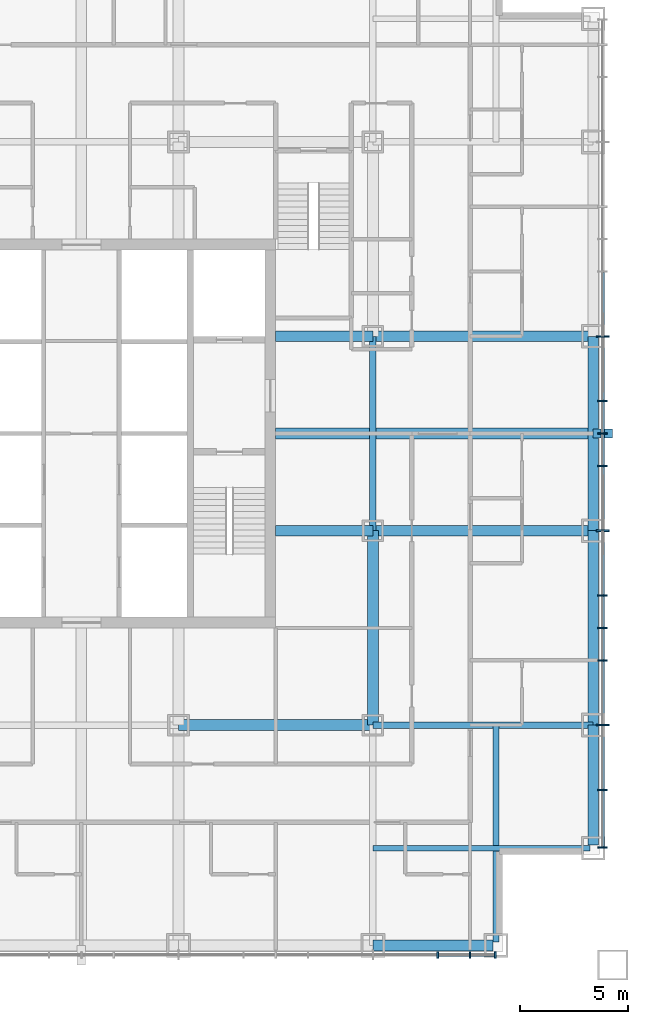
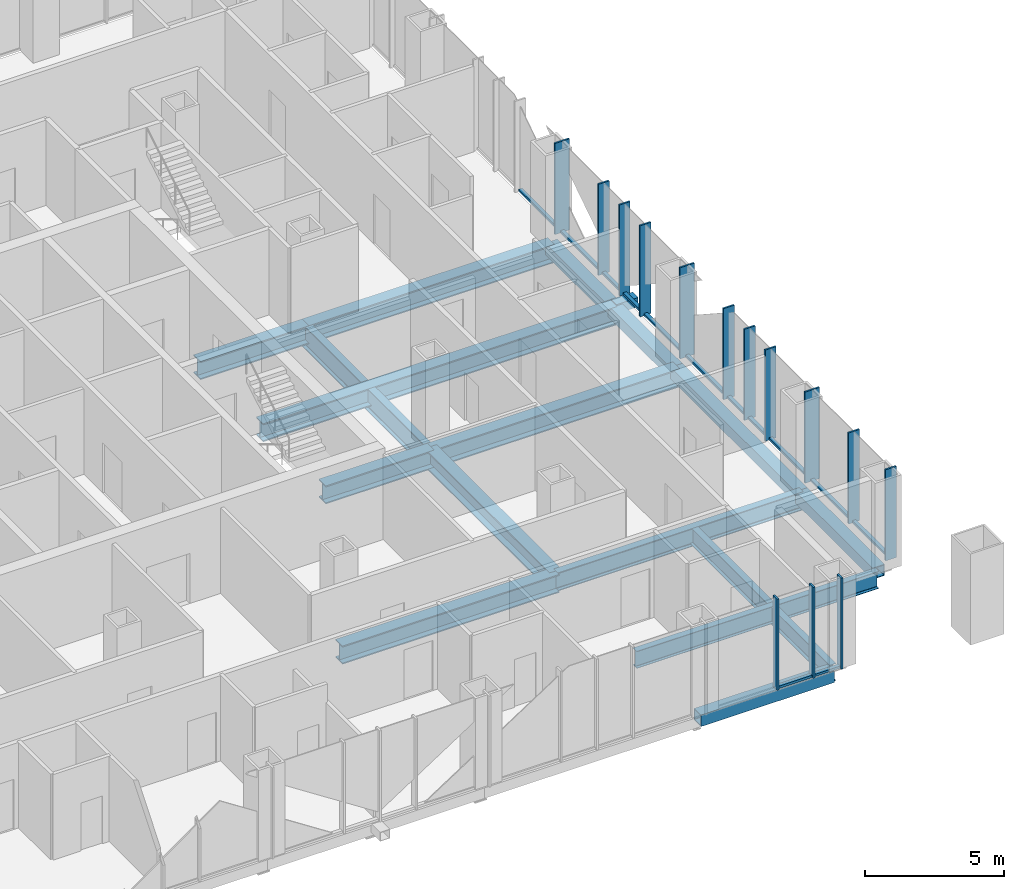
# One storey, part 4 of 13: 28 members, 15 beams, 2 elements without a shape of their own.
"""IFC4 building model written with IfcOpenShell, lengths in metres."""

from ifc_helpers import new_model, si_unit, direction, frame, origin, origin_2d, place, context, subcontext, project, spatial, rectangle, hollow_rectangle, i_section, extrude, material, layer, layer_set, material_profile, profile_set, type_object, element, aggregate, save


model = new_model("IFC4")

# Units and contexts
model_context = context("Model", 3, precision=1e-05, world=origin(), true_north=direction((0.0, 1.0)))
body_context = subcontext(model_context, "Body", "Model", "MODEL_VIEW")
ifc_project = project(units=[si_unit("LENGTHUNIT", "METRE"), si_unit("AREAUNIT", "SQUARE_METRE"), si_unit("VOLUMEUNIT", "CUBIC_METRE"), si_unit("PLANEANGLEUNIT", "RADIAN"), si_unit("MASSUNIT", "GRAM", prefix="KILO")], contexts=[model_context])

# Site, building, storey
site_placement = place(None, origin())
site = spatial("IfcSite", under=ifc_project, at=site_placement, CompositionType="ELEMENT")
building_placement = place(site_placement, origin())
building = spatial("IfcBuilding", under=site, at=building_placement, Name="Malebo Sky Hospital", CompositionType="ELEMENT")
storey_placement = place(building_placement, frame((0.0, 0.0, 156.0)))
storey = spatial("IfcBuildingStorey", under=building, at=storey_placement, Name="L37", CompositionType="ELEMENT", Elevation=156.0)

# Curtain wall, members
ifc_material_1 = material(Name="Anodised aluminium, natural silver", Category="aluminium")
ifc_layer_1 = layer(ifc_material_1, 0.25)
ifc_layer_set_1 = layer_set([ifc_layer_1], Name="WARD CURTAIN WALL NORTH AND SOUTH")
curtain_wall_type_1 = type_object("IfcCurtainWallType", Name="WARD CURTAIN WALL NORTH AND SOUTH", PredefinedType="NOTDEFINED", material=ifc_layer_set_1)
curtain_wall_1_placement = place(storey_placement, origin())
curtain_wall_1 = element("IfcCurtainWall", 1, at=curtain_wall_1_placement, inside=storey, type_object=curtain_wall_type_1, Name="NS curtain wall S", PredefinedType="NOTDEFINED")
ifc_material_profile_1 = material_profile(ifc_material_1, rectangle(XDim=0.14990234375, YDim=0.10009765625, at=origin_2d()), Name="ALUMINIUM TRANSOM 150x100")
ifc_profile_set_1 = profile_set([ifc_material_profile_1], Name="Anodised aluminium, natural silver")
member_type_1 = type_object("IfcMemberType", Name="ALUMINIUM TRANSOM 150x100", PredefinedType="USERDEFINED", material=ifc_profile_set_1)
member_1_placement = place(storey_placement, frame((79.125, 37.864990234375, 0.050048828125), z_axis=(-1.0, 0.0, 0.0), x_axis=(0.0, -1.0, 0.0)))
member_1 = element("IfcMember", 2, at=member_1_placement, type_object=member_type_1, Name="Transom 1", ObjectType="TRANSOM", PredefinedType="USERDEFINED", context=body_context, shape_type="SweptSolid", body=[
    extrude(rectangle(XDim=0.14990234375, YDim=0.10009765625, at=origin_2d()), origin(), (0.0, 0.0, 1.0), 1.08740234375),
])
member_2_placement = place(storey_placement, frame((77.96240234375, 37.864990234375, 0.050048828125), z_axis=(-1.0, 0.0, 0.0), x_axis=(0.0, -1.0, 0.0)))
member_2 = element("IfcMember", 3, at=member_2_placement, type_object=member_type_1, Name="Transom 2", ObjectType="TRANSOM", PredefinedType="USERDEFINED", context=body_context, shape_type="SweptSolid", body=[
    extrude(rectangle(XDim=0.14990234375, YDim=0.10009765625, at=origin_2d()), origin(), (0.0, 0.0, 1.0), 1.4248046875),
])

ifc_layer_2 = layer(ifc_material_1, 0.25)
ifc_layer_set_2 = layer_set([ifc_layer_2], Name="WARD CURTAIN WALL EAST AND WEST")
curtain_wall_type_2 = type_object("IfcCurtainWallType", Name="WARD CURTAIN WALL EAST AND WEST", PredefinedType="NOTDEFINED", material=ifc_layer_set_2)
curtain_wall_2_placement = place(storey_placement, origin())
curtain_wall_2 = element("IfcCurtainWall", 4, at=curtain_wall_2_placement, inside=storey, type_object=curtain_wall_type_2, Name="EW curtain wall E", PredefinedType="NOTDEFINED")
member_3_placement = place(storey_placement, frame((84.135009765625, 69.46240234375, 0.050048828125), z_axis=(0.0, -1.0, 0.0), x_axis=(1.0, 0.0, 0.0)))
member_3 = element("IfcMember", 5, at=member_3_placement, type_object=member_type_1, Name="Transom 7", ObjectType="TRANSOM", PredefinedType="USERDEFINED", context=body_context, shape_type="SweptSolid", body=[
    extrude(rectangle(XDim=0.14990234375, YDim=0.10009765625, at=origin_2d()), origin(), (0.0, 0.0, 1.0), 2.9248046875),
])
member_4_placement = place(storey_placement, frame((84.135009765625, 66.46240234375, 0.050048828125), z_axis=(0.0, -1.0, 0.0), x_axis=(1.0, 0.0, 0.0)))
member_4 = element("IfcMember", 6, at=member_4_placement, type_object=member_type_1, Name="Transom 8", ObjectType="TRANSOM", PredefinedType="USERDEFINED", context=body_context, shape_type="SweptSolid", body=[
    extrude(rectangle(XDim=0.14990234375, YDim=0.10009765625, at=origin_2d()), origin(), (0.0, 0.0, 1.0), 2.9248046875),
])
member_5_placement = place(storey_placement, frame((84.135009765625, 63.46240234375, 0.050048828125), z_axis=(0.0, -1.0, 0.0), x_axis=(1.0, 0.0, 0.0)))
member_5 = element("IfcMember", 7, at=member_5_placement, type_object=member_type_1, Name="Transom 9", ObjectType="TRANSOM", PredefinedType="USERDEFINED", context=body_context, shape_type="SweptSolid", body=[
    extrude(rectangle(XDim=0.14990234375, YDim=0.10009765625, at=origin_2d()), origin(), (0.0, 0.0, 1.0), 1.4248046875),
])
member_6_placement = place(storey_placement, frame((84.135009765625, 61.96240234375, 0.050048828125), z_axis=(0.0, -1.0, 0.0), x_axis=(1.0, 0.0, 0.0)))
member_6 = element("IfcMember", 8, at=member_6_placement, type_object=member_type_1, Name="Transom 10", ObjectType="TRANSOM", PredefinedType="USERDEFINED", context=body_context, shape_type="SweptSolid", body=[
    extrude(rectangle(XDim=0.14990234375, YDim=0.10009765625, at=origin_2d()), origin(), (0.0, 0.0, 1.0), 1.4248046875),
])
member_7_placement = place(storey_placement, frame((84.135009765625, 60.46240234375, 0.050048828125), z_axis=(0.0, -1.0, 0.0), x_axis=(1.0, 0.0, 0.0)))
member_7 = element("IfcMember", 9, at=member_7_placement, type_object=member_type_1, Name="Transom 11", ObjectType="TRANSOM", PredefinedType="USERDEFINED", context=body_context, shape_type="SweptSolid", body=[
    extrude(rectangle(XDim=0.14990234375, YDim=0.10009765625, at=origin_2d()), origin(), (0.0, 0.0, 1.0), 2.9248046875),
])
member_8_placement = place(storey_placement, frame((84.135009765625, 57.46240234375, 0.050048828125), z_axis=(0.0, -1.0, 0.0), x_axis=(1.0, 0.0, 0.0)))
member_8 = element("IfcMember", 10, at=member_8_placement, type_object=member_type_1, Name="Transom 12", ObjectType="TRANSOM", PredefinedType="USERDEFINED", context=body_context, shape_type="SweptSolid", body=[
    extrude(rectangle(XDim=0.14990234375, YDim=0.10009765625, at=origin_2d()), origin(), (0.0, 0.0, 1.0), 2.9248046875),
])
member_9_placement = place(storey_placement, frame((84.135009765625, 54.46240234375, 0.050048828125), z_axis=(0.0, -1.0, 0.0), x_axis=(1.0, 0.0, 0.0)))
member_9 = element("IfcMember", 11, at=member_9_placement, type_object=member_type_1, Name="Transom 13", ObjectType="TRANSOM", PredefinedType="USERDEFINED", context=body_context, shape_type="SweptSolid", body=[
    extrude(rectangle(XDim=0.14990234375, YDim=0.10009765625, at=origin_2d()), origin(), (0.0, 0.0, 1.0), 1.4248046875),
])
member_10_placement = place(storey_placement, frame((84.135009765625, 52.96240234375, 0.050048828125), z_axis=(0.0, -1.0, 0.0), x_axis=(1.0, 0.0, 0.0)))
member_10 = element("IfcMember", 12, at=member_10_placement, type_object=member_type_1, Name="Transom 14", ObjectType="TRANSOM", PredefinedType="USERDEFINED", context=body_context, shape_type="SweptSolid", body=[
    extrude(rectangle(XDim=0.14990234375, YDim=0.10009765625, at=origin_2d()), origin(), (0.0, 0.0, 1.0), 1.4248046875),
])
member_11_placement = place(storey_placement, frame((84.135009765625, 51.46240234375, 0.050048828125), z_axis=(0.0, -1.0, 0.0), x_axis=(1.0, 0.0, 0.0)))
member_11 = element("IfcMember", 13, at=member_11_placement, type_object=member_type_1, Name="Transom 15", ObjectType="TRANSOM", PredefinedType="USERDEFINED", context=body_context, shape_type="SweptSolid", body=[
    extrude(rectangle(XDim=0.14990234375, YDim=0.10009765625, at=origin_2d()), origin(), (0.0, 0.0, 1.0), 2.9248046875),
])
member_12_placement = place(storey_placement, frame((84.135009765625, 48.46240234375, 0.050048828125), z_axis=(0.0, -1.0, 0.0), x_axis=(1.0, 0.0, 0.0)))
member_12 = element("IfcMember", 14, at=member_12_placement, type_object=member_type_1, Name="Transom 16", ObjectType="TRANSOM", PredefinedType="USERDEFINED", context=body_context, shape_type="SweptSolid", body=[
    extrude(rectangle(XDim=0.14990234375, YDim=0.10009765625, at=origin_2d()), origin(), (0.0, 0.0, 1.0), 2.9248046875),
])
member_13_placement = place(storey_placement, frame((84.135009765625, 45.46240234375, 0.050048828125), z_axis=(0.0, -1.0, 0.0), x_axis=(1.0, 0.0, 0.0)))
member_13 = element("IfcMember", 15, at=member_13_placement, type_object=member_type_1, Name="Transom 17", ObjectType="TRANSOM", PredefinedType="USERDEFINED", context=body_context, shape_type="SweptSolid", body=[
    extrude(rectangle(XDim=0.14990234375, YDim=0.10009765625, at=origin_2d()), origin(), (0.0, 0.0, 1.0), 2.58740234375),
])

# Member
ifc_material_2 = material(Name="Steel S355", Category="steel")
ifc_material_profile_2 = material_profile(ifc_material_2, hollow_rectangle(XDim=0.39990234375, YDim=0.39990234375, WallThickness=0.02001953125, at=origin_2d()), Name="SHS 400x20")
ifc_profile_set_2 = profile_set([ifc_material_profile_2], Name="Steel S355")
member_type_2 = type_object("IfcMemberType", Name="BRACE STRUT SHS 400x20", PredefinedType="STRUT", material=ifc_profile_set_2)
member_14_placement = place(storey_placement, frame((84.60009765625, 62.0, -0.39990234375), z_axis=(-1.0, 0.0, 0.0), x_axis=(0.0, -1.0, 0.0)))
element("IfcMember", 16, at=member_14_placement, inside=storey, type_object=member_type_2, Name="Brace strut BE1 L37", PredefinedType="STRUT", context=body_context, shape_type="SweptSolid", body=[
    extrude(hollow_rectangle(XDim=0.39990234375, YDim=0.39990234375, WallThickness=0.02001953125, at=origin_2d()), origin(), (0.0, 0.0, 1.0), 0.900146484375),
])

ifc_material_profile_3 = material_profile(ifc_material_1, rectangle(XDim=0.074951171875, YDim=0.300048828125, at=origin_2d()), Name="CW1 ALUMINIUM FIN MULLION 75x300")
ifc_profile_set_3 = profile_set([ifc_material_profile_3], Name="Anodised aluminium, natural silver")
member_type_3 = type_object("IfcMemberType", Name="CW1 ALUMINIUM FIN MULLION 75x300", PredefinedType="MULLION", material=ifc_profile_set_3)
member_15_placement = place(storey_placement, frame((79.16259765625, 37.864990234375, 0.0), z_axis=(0.0, 0.0, 1.0), x_axis=(-1.0, 0.0, 0.0)))
member_15 = element("IfcMember", 17, at=member_15_placement, type_object=member_type_3, Name="Fin mullion 1", PredefinedType="MULLION", context=body_context, shape_type="SweptSolid", body=[
    extrude(rectangle(XDim=0.074951171875, YDim=0.300048828125, at=origin_2d()), origin(), (0.0, 0.0, 1.0), 4.0),
])

member_16_placement = place(storey_placement, frame((78.0, 37.864990234375, 0.0), z_axis=(0.0, 0.0, 1.0), x_axis=(-1.0, 0.0, 0.0)))
member_16 = element("IfcMember", 18, at=member_16_placement, type_object=member_type_3, Name="Fin mullion 2", PredefinedType="MULLION", context=body_context, shape_type="SweptSolid", body=[
    extrude(rectangle(XDim=0.074951171875, YDim=0.300048828125, at=origin_2d()), origin(), (0.0, 0.0, 1.0), 4.0),
])

member_17_placement = place(storey_placement, frame((76.5, 37.864990234375, 0.0), z_axis=(0.0, 0.0, 1.0), x_axis=(-1.0, 0.0, 0.0)))
member_17 = element("IfcMember", 19, at=member_17_placement, type_object=member_type_3, Name="Fin mullion 3", PredefinedType="MULLION", context=body_context, shape_type="SweptSolid", body=[
    extrude(rectangle(XDim=0.074951171875, YDim=0.300048828125, at=origin_2d()), origin(), (0.0, 0.0, 1.0), 4.0),
])

aggregate(curtain_wall_1, [member_15, member_16, member_17, member_1, member_2])

ifc_material_profile_4 = material_profile(ifc_material_1, rectangle(XDim=0.074951171875, YDim=0.449951171875, at=origin_2d()), Name="CW2 ALUMINIUM FIN MULLION 75x450")
ifc_profile_set_4 = profile_set([ifc_material_profile_4], Name="Anodised aluminium, natural silver")
member_type_4 = type_object("IfcMemberType", Name="CW2 ALUMINIUM FIN MULLION 75x450", PredefinedType="MULLION", material=ifc_profile_set_4)
member_18_placement = place(storey_placement, frame((84.135009765625, 63.5, 0.0), z_axis=(0.0, 0.0, 1.0), x_axis=(0.0, -1.0, 0.0)))
member_18 = element("IfcMember", 20, at=member_18_placement, type_object=member_type_4, Name="Fin mullion 9", PredefinedType="MULLION", context=body_context, shape_type="SweptSolid", body=[
    extrude(rectangle(XDim=0.074951171875, YDim=0.449951171875, at=origin_2d()), origin(), (0.0, 0.0, 1.0), 4.0),
])

member_19_placement = place(storey_placement, frame((84.135009765625, 62.0, 0.0), z_axis=(0.0, 0.0, 1.0), x_axis=(0.0, -1.0, 0.0)))
member_19 = element("IfcMember", 21, at=member_19_placement, type_object=member_type_4, Name="Fin mullion 10", PredefinedType="MULLION", context=body_context, shape_type="SweptSolid", body=[
    extrude(rectangle(XDim=0.074951171875, YDim=0.449951171875, at=origin_2d()), origin(), (0.0, 0.0, 1.0), 4.0),
])

member_20_placement = place(storey_placement, frame((84.135009765625, 60.5, 0.0), z_axis=(0.0, 0.0, 1.0), x_axis=(0.0, -1.0, 0.0)))
member_20 = element("IfcMember", 22, at=member_20_placement, type_object=member_type_4, Name="Fin mullion 11", PredefinedType="MULLION", context=body_context, shape_type="SweptSolid", body=[
    extrude(rectangle(XDim=0.074951171875, YDim=0.449951171875, at=origin_2d()), origin(), (0.0, 0.0, 1.0), 4.0),
])

member_21_placement = place(storey_placement, frame((84.135009765625, 54.5, 0.0), z_axis=(0.0, 0.0, 1.0), x_axis=(0.0, -1.0, 0.0)))
member_21 = element("IfcMember", 23, at=member_21_placement, type_object=member_type_4, Name="Fin mullion 13", PredefinedType="MULLION", context=body_context, shape_type="SweptSolid", body=[
    extrude(rectangle(XDim=0.074951171875, YDim=0.449951171875, at=origin_2d()), origin(), (0.0, 0.0, 1.0), 4.0),
])

member_22_placement = place(storey_placement, frame((84.135009765625, 53.0, 0.0), z_axis=(0.0, 0.0, 1.0), x_axis=(0.0, -1.0, 0.0)))
member_22 = element("IfcMember", 24, at=member_22_placement, type_object=member_type_4, Name="Fin mullion 14", PredefinedType="MULLION", context=body_context, shape_type="SweptSolid", body=[
    extrude(rectangle(XDim=0.074951171875, YDim=0.449951171875, at=origin_2d()), origin(), (0.0, 0.0, 1.0), 4.0),
])

member_23_placement = place(storey_placement, frame((84.135009765625, 51.5, 0.0), z_axis=(0.0, 0.0, 1.0), x_axis=(0.0, -1.0, 0.0)))
member_23 = element("IfcMember", 25, at=member_23_placement, type_object=member_type_4, Name="Fin mullion 15", PredefinedType="MULLION", context=body_context, shape_type="SweptSolid", body=[
    extrude(rectangle(XDim=0.074951171875, YDim=0.449951171875, at=origin_2d()), origin(), (0.0, 0.0, 1.0), 4.0),
])

member_24_placement = place(storey_placement, frame((84.135009765625, 45.5, 0.0), z_axis=(0.0, 0.0, 1.0), x_axis=(0.0, -1.0, 0.0)))
member_24 = element("IfcMember", 26, at=member_24_placement, type_object=member_type_4, Name="Fin mullion 17", PredefinedType="MULLION", context=body_context, shape_type="SweptSolid", body=[
    extrude(rectangle(XDim=0.074951171875, YDim=0.449951171875, at=origin_2d()), origin(), (0.0, 0.0, 1.0), 4.0),
])

member_25_placement = place(storey_placement, frame((84.135009765625, 42.83740234375, 0.0), z_axis=(0.0, 0.0, 1.0), x_axis=(0.0, -1.0, 0.0)))
member_25 = element("IfcMember", 27, at=member_25_placement, type_object=member_type_4, Name="Fin mullion 18", PredefinedType="MULLION", context=body_context, shape_type="SweptSolid", body=[
    extrude(rectangle(XDim=0.074951171875, YDim=0.449951171875, at=origin_2d()), origin(), (0.0, 0.0, 1.0), 4.0),
])

ifc_material_profile_5 = material_profile(ifc_material_1, rectangle(XDim=0.074951171875, YDim=0.60009765625, at=origin_2d()), Name="CW2 ALUMINIUM FIN MULLION 75x600")
ifc_profile_set_5 = profile_set([ifc_material_profile_5], Name="Anodised aluminium, natural silver")
member_type_5 = type_object("IfcMemberType", Name="CW2 ALUMINIUM FIN MULLION 75x600", PredefinedType="MULLION", material=ifc_profile_set_5)
member_26_placement = place(storey_placement, frame((84.135009765625, 66.5, 0.0), z_axis=(0.0, 0.0, 1.0), x_axis=(0.0, -1.0, 0.0)))
member_26 = element("IfcMember", 28, at=member_26_placement, type_object=member_type_5, Name="Fin mullion 8", PredefinedType="MULLION", context=body_context, shape_type="SweptSolid", body=[
    extrude(rectangle(XDim=0.074951171875, YDim=0.60009765625, at=origin_2d()), origin(), (0.0, 0.0, 1.0), 4.0),
])

member_27_placement = place(storey_placement, frame((84.135009765625, 57.5, 0.0), z_axis=(0.0, 0.0, 1.0), x_axis=(0.0, -1.0, 0.0)))
member_27 = element("IfcMember", 29, at=member_27_placement, type_object=member_type_5, Name="Fin mullion 12", PredefinedType="MULLION", context=body_context, shape_type="SweptSolid", body=[
    extrude(rectangle(XDim=0.074951171875, YDim=0.60009765625, at=origin_2d()), origin(), (0.0, 0.0, 1.0), 4.0),
])

member_28_placement = place(storey_placement, frame((84.135009765625, 48.5, 0.0), z_axis=(0.0, 0.0, 1.0), x_axis=(0.0, -1.0, 0.0)))
member_28 = element("IfcMember", 30, at=member_28_placement, type_object=member_type_5, Name="Fin mullion 16", PredefinedType="MULLION", context=body_context, shape_type="SweptSolid", body=[
    extrude(rectangle(XDim=0.074951171875, YDim=0.60009765625, at=origin_2d()), origin(), (0.0, 0.0, 1.0), 4.0),
])

aggregate(curtain_wall_2, [member_26, member_18, member_19, member_20, member_27, member_21, member_22, member_23, member_28, member_24, member_25, member_3, member_4, member_5, member_6, member_7, member_8, member_9, member_10, member_11, member_12, member_13])

# Beams
ifc_material_3 = material(Name="Steel S460", Category="steel")
ifc_material_profile_6 = material_profile(ifc_material_3, hollow_rectangle(XDim=0.5, YDim=0.5, WallThickness=0.030029296875, at=origin_2d()), Name="BOX 500x500x30")
ifc_profile_set_6 = profile_set([ifc_material_profile_6], Name="Steel S460")
beam_type_1 = type_object("IfcBeamType", Name="EDGE BEAM BOX 500x500x30", PredefinedType="BEAM", material=ifc_profile_set_6)
beam_1_placement = place(storey_placement, frame((83.699951171875, 42.949951171875, -0.5), z_axis=(0.0, 1.0, 0.0), x_axis=(-1.0, 0.0, 0.0)))
element("IfcBeam", 31, at=beam_1_placement, inside=storey, type_object=beam_type_1, Name="Beam 029 L37", PredefinedType="BEAM", context=body_context, shape_type="SweptSolid", body=[
    extrude(hollow_rectangle(XDim=0.5, YDim=0.5, WallThickness=0.030029296875, at=origin_2d()), origin(), (0.0, 0.0, 1.0), 5.550048828125),
])
for number, where, z_axis, x_axis, name in (
    (32, (83.699951171875, 48.5, -0.5), (0.0, 1.0, 0.0), (-1.0, 0.0, 0.0), "Beam 030 L37"),
    (33, (83.699951171875, 57.5, -0.5), (0.0, 1.0, 0.0), (-1.0, 0.0, 0.0), "Beam 031 L37"),
):
    element("IfcBeam", number, at=place(storey_placement, frame(where, z_axis=z_axis, x_axis=x_axis)), inside=storey, type_object=beam_type_1, Name=name, PredefinedType="BEAM", context=body_context, shape_type="SweptSolid", body=[
        extrude(hollow_rectangle(XDim=0.5, YDim=0.5, WallThickness=0.030029296875, at=origin_2d()), origin(), (0.0, 0.0, 1.0), 9.0),
    ])
beam_2_placement = place(storey_placement, frame((73.5, 38.300048828125, -0.5), z_axis=(1.0, 0.0, 0.0), x_axis=(0.0, 1.0, 0.0)))
element("IfcBeam", 34, at=beam_2_placement, inside=storey, type_object=beam_type_1, Name="Beam 038 L37", PredefinedType="BEAM", context=body_context, shape_type="SweptSolid", body=[
    extrude(hollow_rectangle(XDim=0.5, YDim=0.5, WallThickness=0.030029296875, at=origin_2d()), origin(), (0.0, 0.0, 1.0), 5.550048828125),
])
ifc_material_profile_7 = material_profile(ifc_material_2, i_section(OverallWidth=0.262939453125, OverallDepth=0.7529296875, WebThickness=0.011474609375, FlangeThickness=0.01708984375, FilletRadius=0.01708984375, at=origin_2d()), Name="IPE 750x137")
ifc_profile_set_7 = profile_set([ifc_material_profile_7], Name="Steel S355")
beam_type_2 = type_object("IfcBeamType", Name="FLOOR BEAM IPE 750x137", PredefinedType="BEAM", material=ifc_profile_set_7)
for number, where, z_axis, x_axis, name in (
    (35, (79.199951171875, 38.449951171875, -0.62646484375), (0.0, 1.0, 0.0), (-1.0, 0.0, 0.0), "Beam 027 L37"),
    (36, (73.5, 42.800048828125, -0.62646484375), (1.0, 0.0, 0.0), (0.0, 1.0, 0.0), "Beam 040 L37"),
):
    element("IfcBeam", number, at=place(storey_placement, frame(where, z_axis=z_axis, x_axis=x_axis)), inside=storey, type_object=beam_type_2, Name=name, PredefinedType="BEAM", context=body_context, shape_type="SweptSolid", body=[
        extrude(i_section(OverallWidth=0.262939453125, OverallDepth=0.7529296875, WebThickness=0.011474609375, FlangeThickness=0.01708984375, FilletRadius=0.01708984375, at=origin_2d()), origin(), (0.0, 0.0, 1.0), 10.050048828125),
    ])
ifc_material_profile_8 = material_profile(ifc_material_2, i_section(OverallWidth=0.5, OverallDepth=0.800048828125, WebThickness=0.030029296875, FlangeThickness=0.050048828125, at=origin_2d()), Name="PG 800x500x30x50")
ifc_profile_set_8 = profile_set([ifc_material_profile_8], Name="Steel S355")
beam_type_3 = type_object("IfcBeamType", Name="FLOOR BEAM PG 800x500x30x50", PredefinedType="BEAM", material=ifc_profile_set_8)
for number, where, z_axis, x_axis, name in (
    (37, (73.5, 48.5, -0.64990234375), (0.0, 1.0, 0.0), (-1.0, 0.0, 0.0), "Beam 023 L37"),
    (38, (64.5, 48.5, -0.64990234375), (1.0, 0.0, 0.0), (0.0, 1.0, 0.0), "Beam 044 L37"),
):
    element("IfcBeam", number, at=place(storey_placement, frame(where, z_axis=z_axis, x_axis=x_axis)), inside=storey, type_object=beam_type_3, Name=name, PredefinedType="BEAM", context=body_context, shape_type="SweptSolid", body=[
        extrude(i_section(OverallWidth=0.5, OverallDepth=0.800048828125, WebThickness=0.030029296875, FlangeThickness=0.050048828125, at=origin_2d()), origin(), (0.0, 0.0, 1.0), 9.0),
    ])
beam_3_placement = place(storey_placement, frame((69.0, 57.5, -0.64990234375), z_axis=(1.0, 0.0, 0.0), x_axis=(0.0, 1.0, 0.0)))
element("IfcBeam", 39, at=beam_3_placement, inside=storey, type_object=beam_type_3, Name="Beam 048 L37", PredefinedType="BEAM", context=body_context, shape_type="SweptSolid", body=[
    extrude(i_section(OverallWidth=0.5, OverallDepth=0.800048828125, WebThickness=0.030029296875, FlangeThickness=0.050048828125, at=origin_2d()), origin(), (0.0, 0.0, 1.0), 4.5),
])
beam_4_placement = place(storey_placement, frame((73.5, 57.5, -0.64990234375), z_axis=(1.0, 0.0, 0.0), x_axis=(0.0, 1.0, 0.0)))
element("IfcBeam", 40, at=beam_4_placement, inside=storey, type_object=beam_type_3, Name="Beam 049 L37", PredefinedType="BEAM", context=body_context, shape_type="SweptSolid", body=[
    extrude(i_section(OverallWidth=0.5, OverallDepth=0.800048828125, WebThickness=0.030029296875, FlangeThickness=0.050048828125, at=origin_2d()), origin(), (0.0, 0.0, 1.0), 10.199951171875),
])
beam_5_placement = place(storey_placement, frame((69.0, 62.0, -0.64990234375), z_axis=(1.0, 0.0, 0.0), x_axis=(0.0, 1.0, 0.0)))
element("IfcBeam", 41, at=beam_5_placement, inside=storey, type_object=beam_type_3, Name="Beam 051 L37", PredefinedType="BEAM", context=body_context, shape_type="SweptSolid", body=[
    extrude(i_section(OverallWidth=0.5, OverallDepth=0.800048828125, WebThickness=0.030029296875, FlangeThickness=0.050048828125, at=origin_2d()), origin(), (0.0, 0.0, 1.0), 14.699951171875),
])
beam_6_placement = place(storey_placement, frame((69.0, 66.5, -0.64990234375), z_axis=(1.0, 0.0, 0.0), x_axis=(0.0, 1.0, 0.0)))
element("IfcBeam", 42, at=beam_6_placement, inside=storey, type_object=beam_type_3, Name="Beam 054 L37", PredefinedType="BEAM", context=body_context, shape_type="SweptSolid", body=[
    extrude(i_section(OverallWidth=0.5, OverallDepth=0.800048828125, WebThickness=0.030029296875, FlangeThickness=0.050048828125, at=origin_2d()), origin(), (0.0, 0.0, 1.0), 4.5),
])
beam_7_placement = place(storey_placement, frame((73.5, 66.5, -0.64990234375), z_axis=(1.0, 0.0, 0.0), x_axis=(0.0, 1.0, 0.0)))
element("IfcBeam", 43, at=beam_7_placement, inside=storey, type_object=beam_type_3, Name="Beam 055 L37", PredefinedType="BEAM", context=body_context, shape_type="SweptSolid", body=[
    extrude(i_section(OverallWidth=0.5, OverallDepth=0.800048828125, WebThickness=0.030029296875, FlangeThickness=0.050048828125, at=origin_2d()), origin(), (0.0, 0.0, 1.0), 10.199951171875),
])
ifc_material_profile_9 = material_profile(ifc_material_2, i_section(OverallWidth=0.300048828125, OverallDepth=0.800048828125, WebThickness=0.017578125, FlangeThickness=0.032958984375, FilletRadius=0.030029296875, at=origin_2d()), Name="HEB 800")
ifc_profile_set_9 = profile_set([ifc_material_profile_9], Name="Steel S355")
beam_type_4 = type_object("IfcBeamType", Name="FLOOR GIRDER HEB 800", PredefinedType="BEAM", material=ifc_profile_set_9)
beam_8_placement = place(storey_placement, frame((73.5, 48.5, -0.64990234375), z_axis=(1.0, 0.0, 0.0), x_axis=(0.0, 1.0, 0.0)))
element("IfcBeam", 44, at=beam_8_placement, inside=storey, type_object=beam_type_4, Name="Beam 045 L37", PredefinedType="BEAM", context=body_context, shape_type="SweptSolid", body=[
    extrude(i_section(OverallWidth=0.300048828125, OverallDepth=0.800048828125, WebThickness=0.017578125, FlangeThickness=0.032958984375, FilletRadius=0.030029296875, at=origin_2d()), origin(), (0.0, 0.0, 1.0), 10.199951171875),
])
ifc_material_profile_10 = material_profile(ifc_material_2, i_section(OverallWidth=0.300048828125, OverallDepth=1.0, WebThickness=0.01904296875, FlangeThickness=0.035888671875, FilletRadius=0.030029296875, at=origin_2d()), Name="HEB 1000")
ifc_profile_set_10 = profile_set([ifc_material_profile_10], Name="Steel S355")
beam_type_5 = type_object("IfcBeamType", Name="RING GIRDER HEB 1000", PredefinedType="BEAM", material=ifc_profile_set_10)
beam_9_placement = place(storey_placement, frame((73.5, 57.5, -0.75), z_axis=(0.0, 1.0, 0.0), x_axis=(-1.0, 0.0, 0.0)))
element("IfcBeam", 45, at=beam_9_placement, inside=storey, type_object=beam_type_5, Name="Beam 024 L37", PredefinedType="BEAM", context=body_context, shape_type="SweptSolid", body=[
    extrude(i_section(OverallWidth=0.300048828125, OverallDepth=1.0, WebThickness=0.01904296875, FlangeThickness=0.035888671875, FilletRadius=0.030029296875, at=origin_2d()), origin(), (0.0, 0.0, 1.0), 9.0),
])

save(model, "model.ifc")
